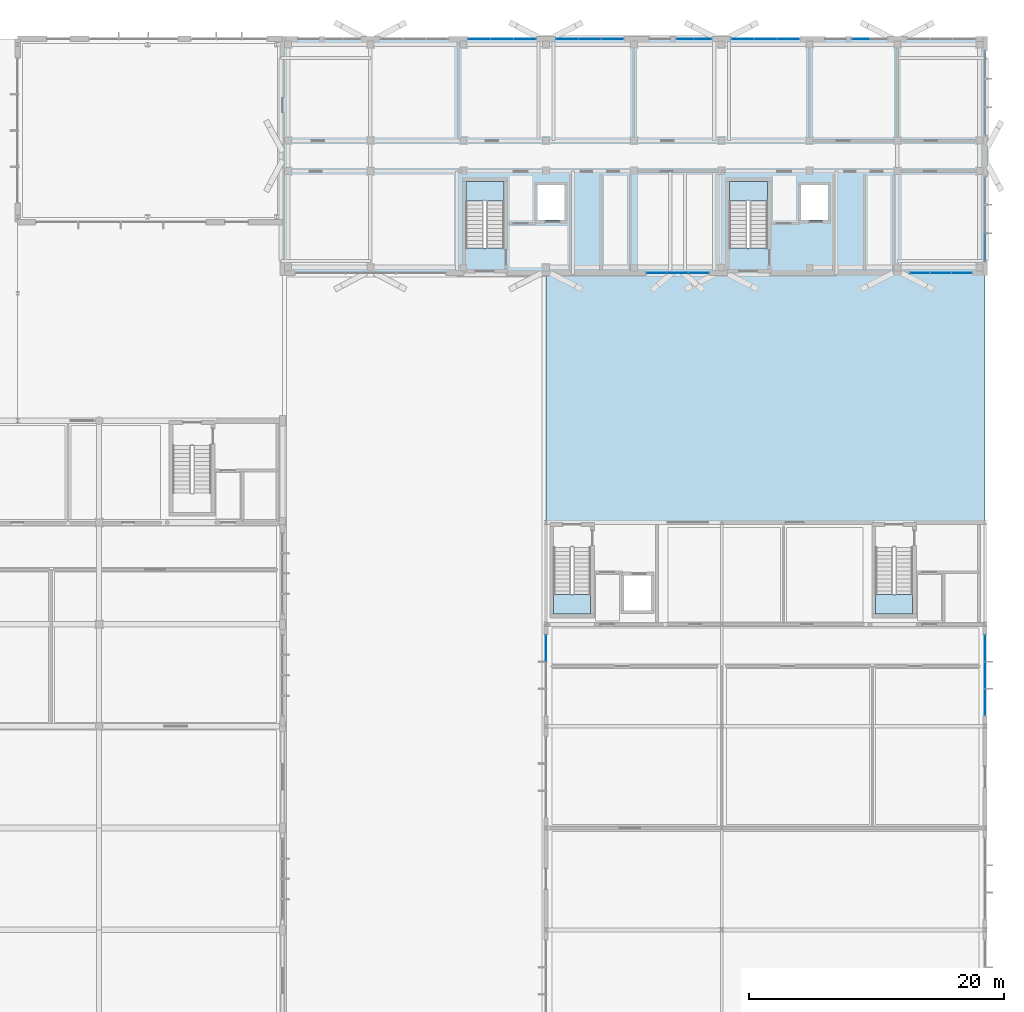
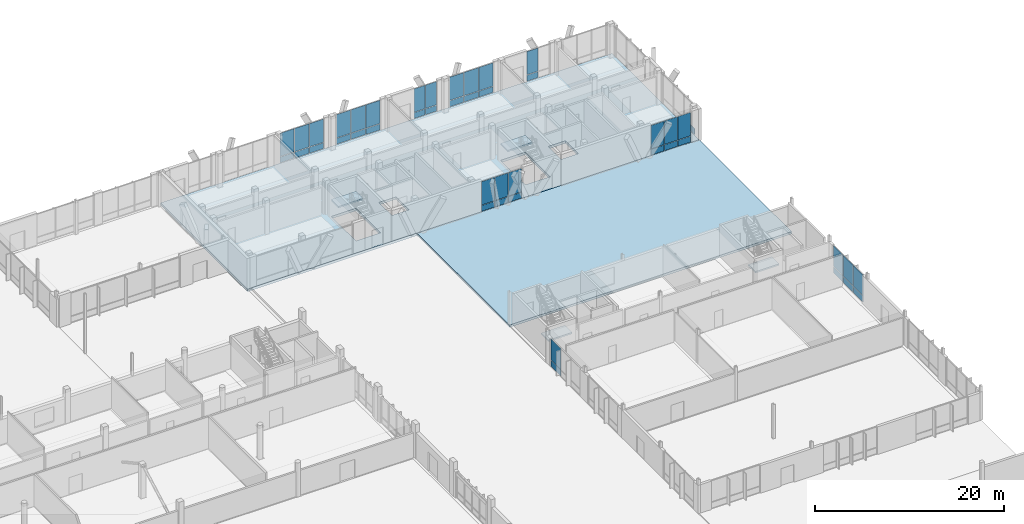
# One storey, part 188 of 233: 45 plates, 6 slabs, 14 elements without a shape of their own.
"""IFC4 building model written with IfcOpenShell, lengths in metres."""

from ifc_helpers import new_model, si_unit, direction, frame, origin, origin_2d, place, context, subcontext, project, spatial, polyline, rectangle, outline, extrude, material, layer, layer_set, type_object, element, aggregate, save


model = new_model("IFC4")

# Units and contexts
model_context = context("Model", 3, precision=1e-05, world=origin(), true_north=direction((0.0, 1.0)))
body_context = subcontext(model_context, "Body", "Model", "MODEL_VIEW")
ifc_project = project(units=[si_unit("LENGTHUNIT", "METRE"), si_unit("AREAUNIT", "SQUARE_METRE"), si_unit("VOLUMEUNIT", "CUBIC_METRE"), si_unit("PLANEANGLEUNIT", "RADIAN"), si_unit("MASSUNIT", "GRAM", prefix="KILO")], contexts=[model_context])

# Site, building, storey
site_placement = place(None, origin())
site = spatial("IfcSite", under=ifc_project, at=site_placement, CompositionType="ELEMENT")
building_placement = place(site_placement, origin())
building = spatial("IfcBuilding", under=site, at=building_placement, Name="Zavelmont Quarter", CompositionType="ELEMENT")
storey_placement = place(building_placement, origin())
storey = spatial("IfcBuildingStorey", under=building, at=storey_placement, Name="L00", CompositionType="ELEMENT", Elevation=0.0)

# Curtain wall, plates
ifc_material_1 = material(Name="Thermally broken aluminium and double low-E safety glazing", Category="aluminium")
curtain_wall_type_1 = type_object("IfcCurtainWallType", Name="CW-285X395", PredefinedType="NOTDEFINED", material=ifc_material_1)
curtain_wall_1_placement = place(storey_placement, origin())
curtain_wall_1 = element("IfcCurtainWall", 1, at=curtain_wall_1_placement, inside=storey, type_object=curtain_wall_type_1, Name="L00 unitised curtain wall CW-285X395", PredefinedType="NOTDEFINED")
ifc_material_2 = material(Name="Insulated anodised-aluminium spandrel panel", Category="aluminium")
ifc_layer_1 = layer(ifc_material_2, 0.0400390625)
ifc_layer_set_1 = layer_set([ifc_layer_1], Name="Insulated anodised-aluminium spandrel panel")
plate_type_1 = type_object("IfcPlateType", Name="CWP-SPD-1335X760", PredefinedType="CURTAIN_PANEL", material=ifc_layer_set_1)
plate_1_placement = place(storey_placement, frame((144.427490234375, 116.0, 0.06005859375), z_axis=(0.0, 0.0, 1.0), x_axis=(1.0, 0.0, 0.0)))
plate_1 = element("IfcPlate", 2, at=plate_1_placement, type_object=plate_type_1, Name="CW-285X395 panel 1.1", PredefinedType="CURTAIN_PANEL", context=body_context, shape_type="SweptSolid", body=[
    extrude(rectangle(XDim=1.3349609375, YDim=0.0400390625, at=origin_2d()), origin(), (0.0, 0.0, 1.0), 0.760009765625),
])
plate_2_placement = place(storey_placement, frame((145.822509765625, 116.0, 0.06005859375), z_axis=(0.0, 0.0, 1.0), x_axis=(1.0, 0.0, 0.0)))
plate_2 = element("IfcPlate", 3, at=plate_2_placement, type_object=plate_type_1, Name="CW-285X395 panel 2.1", PredefinedType="CURTAIN_PANEL", context=body_context, shape_type="SweptSolid", body=[
    extrude(rectangle(XDim=1.3349609375, YDim=0.0400390625, at=origin_2d()), origin(), (0.0, 0.0, 1.0), 0.760009765625),
])

# Curtain wall, plate
curtain_wall_2_placement = place(storey_placement, origin())
curtain_wall_2 = element("IfcCurtainWall", 4, at=curtain_wall_2_placement, inside=storey, type_object=curtain_wall_type_1, Name="L00 unitised curtain wall CW-285X395", PredefinedType="NOTDEFINED")
plate_3_placement = place(storey_placement, frame((158.2275390625, 116.0, 0.06005859375), z_axis=(0.0, 0.0, 1.0), x_axis=(1.0, 0.0, 0.0)))
plate_3 = element("IfcPlate", 5, at=plate_3_placement, type_object=plate_type_1, Name="CW-285X395 panel 1.1", PredefinedType="CURTAIN_PANEL", context=body_context, shape_type="SweptSolid", body=[
    extrude(rectangle(XDim=1.3349609375, YDim=0.0400390625, at=origin_2d()), origin(), (0.0, 0.0, 1.0), 0.760009765625),
])

# Curtain wall, plates
curtain_wall_type_2 = type_object("IfcCurtainWallType", Name="CW-495X395", PredefinedType="NOTDEFINED", material=ifc_material_1)
curtain_wall_3_placement = place(storey_placement, origin())
curtain_wall_3 = element("IfcCurtainWall", 6, at=curtain_wall_3_placement, inside=storey, type_object=curtain_wall_type_2, Name="L00 unitised curtain wall CW-495X395", PredefinedType="NOTDEFINED")
ifc_layer_2 = layer(ifc_material_2, 0.0400390625)
ifc_layer_set_2 = layer_set([ifc_layer_2], Name="Insulated anodised-aluminium spandrel panel")
plate_type_2 = type_object("IfcPlateType", Name="CWP-SPD-1560X760", PredefinedType="CURTAIN_PANEL", material=ifc_layer_set_2)
plate_4_placement = place(storey_placement, frame((162.889892578125, 97.60009765625, 0.06005859375), z_axis=(0.0, 0.0, 1.0), x_axis=(1.0, 0.0, 0.0)))
plate_4 = element("IfcPlate", 7, at=plate_4_placement, type_object=plate_type_2, Name="CW-495X395 panel 1.1", PredefinedType="CURTAIN_PANEL", context=body_context, shape_type="SweptSolid", body=[
    extrude(rectangle(XDim=1.56005859375, YDim=0.0400390625, at=origin_2d()), origin(), (0.0, 0.0, 1.0), 0.760009765625),
])
plate_5_placement = place(storey_placement, frame((166.159912109375, 97.60009765625, 0.06005859375), z_axis=(0.0, 0.0, 1.0), x_axis=(1.0, 0.0, 0.0)))
plate_5 = element("IfcPlate", 8, at=plate_5_placement, type_object=plate_type_2, Name="CW-495X395 panel 3.1", PredefinedType="CURTAIN_PANEL", context=body_context, shape_type="SweptSolid", body=[
    extrude(rectangle(XDim=1.56005859375, YDim=0.0400390625, at=origin_2d()), origin(), (0.0, 0.0, 1.0), 0.760009765625),
])

curtain_wall_type_3 = type_object("IfcCurtainWallType", Name="CW-500X395", PredefinedType="NOTDEFINED", material=ifc_material_1)
curtain_wall_4_placement = place(storey_placement, origin())
curtain_wall_4 = element("IfcCurtainWall", 9, at=curtain_wall_4_placement, inside=storey, type_object=curtain_wall_type_3, Name="L00 unitised curtain wall CW-500X395", PredefinedType="NOTDEFINED")
ifc_layer_3 = layer(ifc_material_2, 0.0400390625)
ifc_layer_set_3 = layer_set([ifc_layer_3], Name="Insulated anodised-aluminium spandrel panel")
plate_type_3 = type_object("IfcPlateType", Name="CWP-SPD-1575X760", PredefinedType="CURTAIN_PANEL", material=ifc_layer_set_3)
plate_6_placement = place(storey_placement, frame((142.1982421875, 97.60009765625, 0.06005859375), z_axis=(0.0, 0.0, 1.0), x_axis=(1.0, 0.0, 0.0)))
plate_6 = element("IfcPlate", 10, at=plate_6_placement, type_object=plate_type_3, Name="CW-500X395 panel 1.1", PredefinedType="CURTAIN_PANEL", context=body_context, shape_type="SweptSolid", body=[
    extrude(rectangle(XDim=1.57666015625, YDim=0.0400390625, at=origin_2d()), origin(), (0.0, 0.0, 1.0), 0.760009765625),
])
plate_7_placement = place(storey_placement, frame((145.501708984375, 97.60009765625, 0.06005859375), z_axis=(0.0, 0.0, 1.0), x_axis=(1.0, 0.0, 0.0)))
plate_7 = element("IfcPlate", 11, at=plate_7_placement, type_object=plate_type_3, Name="CW-500X395 panel 3.1", PredefinedType="CURTAIN_PANEL", context=body_context, shape_type="SweptSolid", body=[
    extrude(rectangle(XDim=1.57666015625, YDim=0.0400390625, at=origin_2d()), origin(), (0.0, 0.0, 1.0), 0.760009765625),
])

# Plate
ifc_layer_4 = layer(ifc_material_2, 0.0400390625)
ifc_layer_set_4 = layer_set([ifc_layer_4], Name="Insulated anodised-aluminium spandrel panel")
plate_type_4 = type_object("IfcPlateType", Name="CWP-SPD-1590X760", PredefinedType="CURTAIN_PANEL", material=ifc_layer_set_4)
plate_8_placement = place(storey_placement, frame((164.52490234375, 97.60009765625, 0.06005859375), z_axis=(0.0, 0.0, 1.0), x_axis=(1.0, 0.0, 0.0)))
plate_8 = element("IfcPlate", 12, at=plate_8_placement, type_object=plate_type_4, Name="CW-495X395 panel 2.1", PredefinedType="CURTAIN_PANEL", context=body_context, shape_type="SweptSolid", body=[
    extrude(rectangle(XDim=1.590087890625, YDim=0.0400390625, at=origin_2d()), origin(), (0.0, 0.0, 1.0), 0.760009765625),
])

ifc_layer_5 = layer(ifc_material_2, 0.0400390625)
ifc_layer_set_5 = layer_set([ifc_layer_5], Name="Insulated anodised-aluminium spandrel panel")
plate_type_5 = type_object("IfcPlateType", Name="CWP-SPD-1605X760", PredefinedType="CURTAIN_PANEL", material=ifc_layer_set_5)
plate_9_placement = place(storey_placement, frame((143.85009765625, 97.60009765625, 0.06005859375), z_axis=(0.0, 0.0, 1.0), x_axis=(1.0, 0.0, 0.0)))
plate_9 = element("IfcPlate", 13, at=plate_9_placement, type_object=plate_type_5, Name="CW-500X395 panel 2.1", PredefinedType="CURTAIN_PANEL", context=body_context, shape_type="SweptSolid", body=[
    extrude(rectangle(XDim=1.606689453125, YDim=0.0400390625, at=origin_2d()), origin(), (0.0, 0.0, 1.0), 0.760009765625),
])

# Curtain wall, plates
curtain_wall_type_4 = type_object("IfcCurtainWallType", Name="CW-540X395", PredefinedType="NOTDEFINED", material=ifc_material_1)
curtain_wall_5_placement = place(storey_placement, origin())
curtain_wall_5 = element("IfcCurtainWall", 14, at=curtain_wall_5_placement, inside=storey, type_object=curtain_wall_type_4, Name="L00 unitised curtain wall CW-540X395", PredefinedType="NOTDEFINED")
ifc_layer_6 = layer(ifc_material_2, 0.0400390625)
ifc_layer_set_6 = layer_set([ifc_layer_6], Name="Insulated anodised-aluminium spandrel panel")
plate_type_6 = type_object("IfcPlateType", Name="CWP-SPD-1710X760", PredefinedType="CURTAIN_PANEL", material=ifc_layer_set_6)
plate_10_placement = place(storey_placement, frame((128.264892578125, 116.0, 0.06005859375), z_axis=(0.0, 0.0, 1.0), x_axis=(1.0, 0.0, 0.0)))
plate_10 = element("IfcPlate", 15, at=plate_10_placement, type_object=plate_type_6, Name="CW-540X395 panel 1.1", PredefinedType="CURTAIN_PANEL", context=body_context, shape_type="SweptSolid", body=[
    extrude(rectangle(XDim=1.7099609375, YDim=0.0400390625, at=origin_2d()), origin(), (0.0, 0.0, 1.0), 0.760009765625),
])
plate_11_placement = place(storey_placement, frame((131.8349609375, 116.0, 0.06005859375), z_axis=(0.0, 0.0, 1.0), x_axis=(1.0, 0.0, 0.0)))
plate_11 = element("IfcPlate", 16, at=plate_11_placement, type_object=plate_type_6, Name="CW-540X395 panel 3.1", PredefinedType="CURTAIN_PANEL", context=body_context, shape_type="SweptSolid", body=[
    extrude(rectangle(XDim=1.7099609375, YDim=0.0400390625, at=origin_2d()), origin(), (0.0, 0.0, 1.0), 0.760009765625),
])

curtain_wall_6_placement = place(storey_placement, origin())
curtain_wall_6 = element("IfcCurtainWall", 17, at=curtain_wall_6_placement, inside=storey, type_object=curtain_wall_type_4, Name="L00 unitised curtain wall CW-540X395", PredefinedType="NOTDEFINED")
plate_12_placement = place(storey_placement, frame((135.1650390625, 116.0, 0.06005859375), z_axis=(0.0, 0.0, 1.0), x_axis=(1.0, 0.0, 0.0)))
plate_12 = element("IfcPlate", 18, at=plate_12_placement, type_object=plate_type_6, Name="CW-540X395 panel 1.1", PredefinedType="CURTAIN_PANEL", context=body_context, shape_type="SweptSolid", body=[
    extrude(rectangle(XDim=1.7099609375, YDim=0.0400390625, at=origin_2d()), origin(), (0.0, 0.0, 1.0), 0.760009765625),
])
plate_13_placement = place(storey_placement, frame((138.735107421875, 116.0, 0.06005859375), z_axis=(0.0, 0.0, 1.0), x_axis=(1.0, 0.0, 0.0)))
plate_13 = element("IfcPlate", 19, at=plate_13_placement, type_object=plate_type_6, Name="CW-540X395 panel 3.1", PredefinedType="CURTAIN_PANEL", context=body_context, shape_type="SweptSolid", body=[
    extrude(rectangle(XDim=1.7099609375, YDim=0.0400390625, at=origin_2d()), origin(), (0.0, 0.0, 1.0), 0.760009765625),
])

curtain_wall_7_placement = place(storey_placement, origin())
curtain_wall_7 = element("IfcCurtainWall", 20, at=curtain_wall_7_placement, inside=storey, type_object=curtain_wall_type_4, Name="L00 unitised curtain wall CW-540X395", PredefinedType="NOTDEFINED")
plate_14_placement = place(storey_placement, frame((148.965087890625, 116.0, 0.06005859375), z_axis=(0.0, 0.0, 1.0), x_axis=(1.0, 0.0, 0.0)))
plate_14 = element("IfcPlate", 21, at=plate_14_placement, type_object=plate_type_6, Name="CW-540X395 panel 1.1", PredefinedType="CURTAIN_PANEL", context=body_context, shape_type="SweptSolid", body=[
    extrude(rectangle(XDim=1.7099609375, YDim=0.0400390625, at=origin_2d()), origin(), (0.0, 0.0, 1.0), 0.760009765625),
])
plate_15_placement = place(storey_placement, frame((152.534912109375, 116.0, 0.06005859375), z_axis=(0.0, 0.0, 1.0), x_axis=(1.0, 0.0, 0.0)))
plate_15 = element("IfcPlate", 22, at=plate_15_placement, type_object=plate_type_6, Name="CW-540X395 panel 3.1", PredefinedType="CURTAIN_PANEL", context=body_context, shape_type="SweptSolid", body=[
    extrude(rectangle(XDim=1.7099609375, YDim=0.0400390625, at=origin_2d()), origin(), (0.0, 0.0, 1.0), 0.760009765625),
])

# Plate
ifc_layer_7 = layer(ifc_material_2, 0.0400390625)
ifc_layer_set_7 = layer_set([ifc_layer_7], Name="Insulated anodised-aluminium spandrel panel")
plate_type_7 = type_object("IfcPlateType", Name="CWP-SPD-1740X760", PredefinedType="CURTAIN_PANEL", material=ifc_layer_set_7)
plate_16_placement = place(storey_placement, frame((130.050048828125, 116.0, 0.06005859375), z_axis=(0.0, 0.0, 1.0), x_axis=(1.0, 0.0, 0.0)))
plate_16 = element("IfcPlate", 23, at=plate_16_placement, type_object=plate_type_7, Name="CW-540X395 panel 2.1", PredefinedType="CURTAIN_PANEL", context=body_context, shape_type="SweptSolid", body=[
    extrude(rectangle(XDim=1.739990234375, YDim=0.0400390625, at=origin_2d()), origin(), (0.0, 0.0, 1.0), 0.760009765625),
])

plate_17_placement = place(storey_placement, frame((136.949951171875, 116.0, 0.06005859375), z_axis=(0.0, 0.0, 1.0), x_axis=(1.0, 0.0, 0.0)))
plate_17 = element("IfcPlate", 24, at=plate_17_placement, type_object=plate_type_7, Name="CW-540X395 panel 2.1", PredefinedType="CURTAIN_PANEL", context=body_context, shape_type="SweptSolid", body=[
    extrude(rectangle(XDim=1.739990234375, YDim=0.0400390625, at=origin_2d()), origin(), (0.0, 0.0, 1.0), 0.760009765625),
])

plate_18_placement = place(storey_placement, frame((150.75, 116.0, 0.06005859375), z_axis=(0.0, 0.0, 1.0), x_axis=(1.0, 0.0, 0.0)))
plate_18 = element("IfcPlate", 25, at=plate_18_placement, type_object=plate_type_7, Name="CW-540X395 panel 2.1", PredefinedType="CURTAIN_PANEL", context=body_context, shape_type="SweptSolid", body=[
    extrude(rectangle(XDim=1.739990234375, YDim=0.0400390625, at=origin_2d()), origin(), (0.0, 0.0, 1.0), 0.760009765625),
])

# Curtain wall, plate
curtain_wall_type_5 = type_object("IfcCurtainWallType", Name="CW-640X366", PredefinedType="NOTDEFINED", material=ifc_material_1)
curtain_wall_8_placement = place(storey_placement, origin())
curtain_wall_8 = element("IfcCurtainWall", 26, at=curtain_wall_8_placement, inside=storey, type_object=curtain_wall_type_5, Name="L00 unitised curtain wall CW-640X366", PredefinedType="NOTDEFINED")
ifc_layer_8 = layer(ifc_material_2, 0.0400390625)
ifc_layer_set_8 = layer_set([ifc_layer_8], Name="Insulated anodised-aluminium spandrel panel")
plate_type_8 = type_object("IfcPlateType", Name="CWP-SPD-2045X760", PredefinedType="CURTAIN_PANEL", material=ifc_layer_set_8)
plate_19_placement = place(storey_placement, frame((133.5, 68.118408203125, 0.06005859375), z_axis=(0.0, 0.0, 1.0), x_axis=(0.0, 1.0, 0.0)))
plate_19 = element("IfcPlate", 27, at=plate_19_placement, type_object=plate_type_8, Name="CW-640X366 panel 3.1", PredefinedType="CURTAIN_PANEL", context=body_context, shape_type="SweptSolid", body=[
    extrude(rectangle(XDim=2.043212890625, YDim=0.0400390625, at=origin_2d()), origin(), (0.0, 0.0, 1.0), 0.760009765625),
])

# Curtain wall, plates
curtain_wall_9_placement = place(storey_placement, origin())
curtain_wall_9 = element("IfcCurtainWall", 28, at=curtain_wall_9_placement, inside=storey, type_object=curtain_wall_type_5, Name="L00 unitised curtain wall CW-640X366", PredefinedType="NOTDEFINED")
plate_20_placement = place(storey_placement, frame((168.0, 63.881591796875, 0.06005859375), z_axis=(0.0, 0.0, 1.0), x_axis=(0.0, 1.0, 0.0)))
plate_20 = element("IfcPlate", 29, at=plate_20_placement, type_object=plate_type_8, Name="CW-640X366 panel 1.1", PredefinedType="CURTAIN_PANEL", context=body_context, shape_type="SweptSolid", body=[
    extrude(rectangle(XDim=2.043212890625, YDim=0.0400390625, at=origin_2d()), origin(), (0.0, 0.0, 1.0), 0.760009765625),
])
plate_21_placement = place(storey_placement, frame((168.0, 68.118408203125, 0.06005859375), z_axis=(0.0, 0.0, 1.0), x_axis=(0.0, 1.0, 0.0)))
plate_21 = element("IfcPlate", 30, at=plate_21_placement, type_object=plate_type_8, Name="CW-640X366 panel 3.1", PredefinedType="CURTAIN_PANEL", context=body_context, shape_type="SweptSolid", body=[
    extrude(rectangle(XDim=2.043212890625, YDim=0.0400390625, at=origin_2d()), origin(), (0.0, 0.0, 1.0), 0.760009765625),
])
ifc_layer_9 = layer(ifc_material_2, 0.0400390625)
ifc_layer_set_9 = layer_set([ifc_layer_9], Name="Insulated anodised-aluminium spandrel panel")
plate_type_9 = type_object("IfcPlateType", Name="CWP-SPD-2075X760", PredefinedType="CURTAIN_PANEL", material=ifc_layer_set_9)
plate_22_placement = place(storey_placement, frame((168.0, 66.0, 0.06005859375), z_axis=(0.0, 0.0, 1.0), x_axis=(0.0, 1.0, 0.0)))
plate_22 = element("IfcPlate", 31, at=plate_22_placement, type_object=plate_type_9, Name="CW-640X366 panel 2.1", PredefinedType="CURTAIN_PANEL", context=body_context, shape_type="SweptSolid", body=[
    extrude(rectangle(XDim=2.0732421875, YDim=0.0400390625, at=origin_2d()), origin(), (0.0, 0.0, 1.0), 0.760009765625),
])

# Curtain wall, plate
curtain_wall_type_6 = type_object("IfcCurtainWallType", Name="CW-670X395", PredefinedType="NOTDEFINED", material=ifc_material_1)
curtain_wall_10_placement = place(storey_placement, origin())
curtain_wall_10 = element("IfcCurtainWall", 32, at=curtain_wall_10_placement, inside=storey, type_object=curtain_wall_type_6, Name="L00 unitised curtain wall CW-670X395", PredefinedType="NOTDEFINED")
ifc_layer_10 = layer(ifc_material_2, 0.0400390625)
ifc_layer_set_10 = layer_set([ifc_layer_10], Name="Insulated anodised-aluminium spandrel panel")
plate_type_10 = type_object("IfcPlateType", Name="CWP-SPD-2145X760", PredefinedType="CURTAIN_PANEL", material=ifc_layer_set_10)
plate_23_placement = place(storey_placement, frame((168.0, 99.631591796875, 0.06005859375), z_axis=(0.0, 0.0, 1.0), x_axis=(0.0, 1.0, 0.0)))
plate_23 = element("IfcPlate", 33, at=plate_23_placement, type_object=plate_type_10, Name="CW-670X395 panel 1.1", PredefinedType="CURTAIN_PANEL", context=body_context, shape_type="SweptSolid", body=[
    extrude(rectangle(XDim=2.143310546875, YDim=0.0400390625, at=origin_2d()), origin(), (0.0, 0.0, 1.0), 0.760009765625),
])
aggregate(curtain_wall_10, [plate_23])

# Plate
ifc_material_3 = material(Name="Double low-E insulated vision glass", Category="glass")
ifc_layer_11 = layer(ifc_material_3, 0.028076171875)
ifc_layer_set_11 = layer_set([ifc_layer_11], Name="Double low-E insulated vision glass")
plate_type_11 = type_object("IfcPlateType", Name="CWP-VIS-1335X3010", PredefinedType="CURTAIN_PANEL", material=ifc_layer_set_11)
plate_24_placement = place(storey_placement, frame((144.427490234375, 116.0, 0.8798828125), z_axis=(0.0, 0.0, 1.0), x_axis=(1.0, 0.0, 0.0)))
plate_24 = element("IfcPlate", 34, at=plate_24_placement, type_object=plate_type_11, Name="CW-285X395 panel 1.2", PredefinedType="CURTAIN_PANEL", context=body_context, shape_type="SweptSolid", body=[
    extrude(rectangle(XDim=1.3349609375, YDim=0.028076171875, at=origin_2d()), origin(), (0.0, 0.0, 1.0), 3.010009765625),
])

plate_25_placement = place(storey_placement, frame((145.822509765625, 116.0, 0.8798828125), z_axis=(0.0, 0.0, 1.0), x_axis=(1.0, 0.0, 0.0)))
plate_25 = element("IfcPlate", 35, at=plate_25_placement, type_object=plate_type_11, Name="CW-285X395 panel 2.2", PredefinedType="CURTAIN_PANEL", context=body_context, shape_type="SweptSolid", body=[
    extrude(rectangle(XDim=1.3349609375, YDim=0.028076171875, at=origin_2d()), origin(), (0.0, 0.0, 1.0), 3.010009765625),
])

aggregate(curtain_wall_1, [plate_1, plate_24, plate_2, plate_25])

plate_26_placement = place(storey_placement, frame((158.2275390625, 116.0, 0.8798828125), z_axis=(0.0, 0.0, 1.0), x_axis=(1.0, 0.0, 0.0)))
plate_26 = element("IfcPlate", 36, at=plate_26_placement, type_object=plate_type_11, Name="CW-285X395 panel 1.2", PredefinedType="CURTAIN_PANEL", context=body_context, shape_type="SweptSolid", body=[
    extrude(rectangle(XDim=1.3349609375, YDim=0.028076171875, at=origin_2d()), origin(), (0.0, 0.0, 1.0), 3.010009765625),
])

aggregate(curtain_wall_2, [plate_3, plate_26])

ifc_layer_12 = layer(ifc_material_3, 0.028076171875)
ifc_layer_set_12 = layer_set([ifc_layer_12], Name="Double low-E insulated vision glass")
plate_type_12 = type_object("IfcPlateType", Name="CWP-VIS-1560X3010", PredefinedType="CURTAIN_PANEL", material=ifc_layer_set_12)
plate_27_placement = place(storey_placement, frame((162.889892578125, 97.60009765625, 0.8798828125), z_axis=(0.0, 0.0, 1.0), x_axis=(1.0, 0.0, 0.0)))
plate_27 = element("IfcPlate", 37, at=plate_27_placement, type_object=plate_type_12, Name="CW-495X395 panel 1.2", PredefinedType="CURTAIN_PANEL", context=body_context, shape_type="SweptSolid", body=[
    extrude(rectangle(XDim=1.56005859375, YDim=0.028076171875, at=origin_2d()), origin(), (0.0, 0.0, 1.0), 3.010009765625),
])

plate_28_placement = place(storey_placement, frame((166.159912109375, 97.60009765625, 0.8798828125), z_axis=(0.0, 0.0, 1.0), x_axis=(1.0, 0.0, 0.0)))
plate_28 = element("IfcPlate", 38, at=plate_28_placement, type_object=plate_type_12, Name="CW-495X395 panel 3.2", PredefinedType="CURTAIN_PANEL", context=body_context, shape_type="SweptSolid", body=[
    extrude(rectangle(XDim=1.56005859375, YDim=0.028076171875, at=origin_2d()), origin(), (0.0, 0.0, 1.0), 3.010009765625),
])

ifc_layer_13 = layer(ifc_material_3, 0.028076171875)
ifc_layer_set_13 = layer_set([ifc_layer_13], Name="Double low-E insulated vision glass")
plate_type_13 = type_object("IfcPlateType", Name="CWP-VIS-1575X3010", PredefinedType="CURTAIN_PANEL", material=ifc_layer_set_13)
plate_29_placement = place(storey_placement, frame((142.1982421875, 97.60009765625, 0.8798828125), z_axis=(0.0, 0.0, 1.0), x_axis=(1.0, 0.0, 0.0)))
plate_29 = element("IfcPlate", 39, at=plate_29_placement, type_object=plate_type_13, Name="CW-500X395 panel 1.2", PredefinedType="CURTAIN_PANEL", context=body_context, shape_type="SweptSolid", body=[
    extrude(rectangle(XDim=1.57666015625, YDim=0.028076171875, at=origin_2d()), origin(), (0.0, 0.0, 1.0), 3.010009765625),
])

plate_30_placement = place(storey_placement, frame((145.501708984375, 97.60009765625, 0.8798828125), z_axis=(0.0, 0.0, 1.0), x_axis=(1.0, 0.0, 0.0)))
plate_30 = element("IfcPlate", 40, at=plate_30_placement, type_object=plate_type_13, Name="CW-500X395 panel 3.2", PredefinedType="CURTAIN_PANEL", context=body_context, shape_type="SweptSolid", body=[
    extrude(rectangle(XDim=1.57666015625, YDim=0.028076171875, at=origin_2d()), origin(), (0.0, 0.0, 1.0), 3.010009765625),
])

ifc_layer_14 = layer(ifc_material_3, 0.028076171875)
ifc_layer_set_14 = layer_set([ifc_layer_14], Name="Double low-E insulated vision glass")
plate_type_14 = type_object("IfcPlateType", Name="CWP-VIS-1590X3010", PredefinedType="CURTAIN_PANEL", material=ifc_layer_set_14)
plate_31_placement = place(storey_placement, frame((164.52490234375, 97.60009765625, 0.8798828125), z_axis=(0.0, 0.0, 1.0), x_axis=(1.0, 0.0, 0.0)))
plate_31 = element("IfcPlate", 41, at=plate_31_placement, type_object=plate_type_14, Name="CW-495X395 panel 2.2", PredefinedType="CURTAIN_PANEL", context=body_context, shape_type="SweptSolid", body=[
    extrude(rectangle(XDim=1.590087890625, YDim=0.028076171875, at=origin_2d()), origin(), (0.0, 0.0, 1.0), 3.010009765625),
])

aggregate(curtain_wall_3, [plate_4, plate_27, plate_8, plate_31, plate_5, plate_28])

ifc_layer_15 = layer(ifc_material_3, 0.028076171875)
ifc_layer_set_15 = layer_set([ifc_layer_15], Name="Double low-E insulated vision glass")
plate_type_15 = type_object("IfcPlateType", Name="CWP-VIS-1605X3010", PredefinedType="CURTAIN_PANEL", material=ifc_layer_set_15)
plate_32_placement = place(storey_placement, frame((143.85009765625, 97.60009765625, 0.8798828125), z_axis=(0.0, 0.0, 1.0), x_axis=(1.0, 0.0, 0.0)))
plate_32 = element("IfcPlate", 42, at=plate_32_placement, type_object=plate_type_15, Name="CW-500X395 panel 2.2", PredefinedType="CURTAIN_PANEL", context=body_context, shape_type="SweptSolid", body=[
    extrude(rectangle(XDim=1.606689453125, YDim=0.028076171875, at=origin_2d()), origin(), (0.0, 0.0, 1.0), 3.010009765625),
])

aggregate(curtain_wall_4, [plate_6, plate_29, plate_9, plate_32, plate_7, plate_30])

ifc_layer_16 = layer(ifc_material_3, 0.028076171875)
ifc_layer_set_16 = layer_set([ifc_layer_16], Name="Double low-E insulated vision glass")
plate_type_16 = type_object("IfcPlateType", Name="CWP-VIS-1710X3010", PredefinedType="CURTAIN_PANEL", material=ifc_layer_set_16)
plate_33_placement = place(storey_placement, frame((128.264892578125, 116.0, 0.8798828125), z_axis=(0.0, 0.0, 1.0), x_axis=(1.0, 0.0, 0.0)))
plate_33 = element("IfcPlate", 43, at=plate_33_placement, type_object=plate_type_16, Name="CW-540X395 panel 1.2", PredefinedType="CURTAIN_PANEL", context=body_context, shape_type="SweptSolid", body=[
    extrude(rectangle(XDim=1.7099609375, YDim=0.028076171875, at=origin_2d()), origin(), (0.0, 0.0, 1.0), 3.010009765625),
])

plate_34_placement = place(storey_placement, frame((131.8349609375, 116.0, 0.8798828125), z_axis=(0.0, 0.0, 1.0), x_axis=(1.0, 0.0, 0.0)))
plate_34 = element("IfcPlate", 44, at=plate_34_placement, type_object=plate_type_16, Name="CW-540X395 panel 3.2", PredefinedType="CURTAIN_PANEL", context=body_context, shape_type="SweptSolid", body=[
    extrude(rectangle(XDim=1.7099609375, YDim=0.028076171875, at=origin_2d()), origin(), (0.0, 0.0, 1.0), 3.010009765625),
])

plate_35_placement = place(storey_placement, frame((135.1650390625, 116.0, 0.8798828125), z_axis=(0.0, 0.0, 1.0), x_axis=(1.0, 0.0, 0.0)))
plate_35 = element("IfcPlate", 45, at=plate_35_placement, type_object=plate_type_16, Name="CW-540X395 panel 1.2", PredefinedType="CURTAIN_PANEL", context=body_context, shape_type="SweptSolid", body=[
    extrude(rectangle(XDim=1.7099609375, YDim=0.028076171875, at=origin_2d()), origin(), (0.0, 0.0, 1.0), 3.010009765625),
])

plate_36_placement = place(storey_placement, frame((138.735107421875, 116.0, 0.8798828125), z_axis=(0.0, 0.0, 1.0), x_axis=(1.0, 0.0, 0.0)))
plate_36 = element("IfcPlate", 46, at=plate_36_placement, type_object=plate_type_16, Name="CW-540X395 panel 3.2", PredefinedType="CURTAIN_PANEL", context=body_context, shape_type="SweptSolid", body=[
    extrude(rectangle(XDim=1.7099609375, YDim=0.028076171875, at=origin_2d()), origin(), (0.0, 0.0, 1.0), 3.010009765625),
])

plate_37_placement = place(storey_placement, frame((148.965087890625, 116.0, 0.8798828125), z_axis=(0.0, 0.0, 1.0), x_axis=(1.0, 0.0, 0.0)))
plate_37 = element("IfcPlate", 47, at=plate_37_placement, type_object=plate_type_16, Name="CW-540X395 panel 1.2", PredefinedType="CURTAIN_PANEL", context=body_context, shape_type="SweptSolid", body=[
    extrude(rectangle(XDim=1.7099609375, YDim=0.028076171875, at=origin_2d()), origin(), (0.0, 0.0, 1.0), 3.010009765625),
])

plate_38_placement = place(storey_placement, frame((152.534912109375, 116.0, 0.8798828125), z_axis=(0.0, 0.0, 1.0), x_axis=(1.0, 0.0, 0.0)))
plate_38 = element("IfcPlate", 48, at=plate_38_placement, type_object=plate_type_16, Name="CW-540X395 panel 3.2", PredefinedType="CURTAIN_PANEL", context=body_context, shape_type="SweptSolid", body=[
    extrude(rectangle(XDim=1.7099609375, YDim=0.028076171875, at=origin_2d()), origin(), (0.0, 0.0, 1.0), 3.010009765625),
])

ifc_layer_17 = layer(ifc_material_3, 0.028076171875)
ifc_layer_set_17 = layer_set([ifc_layer_17], Name="Double low-E insulated vision glass")
plate_type_17 = type_object("IfcPlateType", Name="CWP-VIS-1740X3010", PredefinedType="CURTAIN_PANEL", material=ifc_layer_set_17)
plate_39_placement = place(storey_placement, frame((130.050048828125, 116.0, 0.8798828125), z_axis=(0.0, 0.0, 1.0), x_axis=(1.0, 0.0, 0.0)))
plate_39 = element("IfcPlate", 49, at=plate_39_placement, type_object=plate_type_17, Name="CW-540X395 panel 2.2", PredefinedType="CURTAIN_PANEL", context=body_context, shape_type="SweptSolid", body=[
    extrude(rectangle(XDim=1.739990234375, YDim=0.028076171875, at=origin_2d()), origin(), (0.0, 0.0, 1.0), 3.010009765625),
])

aggregate(curtain_wall_5, [plate_10, plate_33, plate_16, plate_39, plate_11, plate_34])

plate_40_placement = place(storey_placement, frame((136.949951171875, 116.0, 0.8798828125), z_axis=(0.0, 0.0, 1.0), x_axis=(1.0, 0.0, 0.0)))
plate_40 = element("IfcPlate", 50, at=plate_40_placement, type_object=plate_type_17, Name="CW-540X395 panel 2.2", PredefinedType="CURTAIN_PANEL", context=body_context, shape_type="SweptSolid", body=[
    extrude(rectangle(XDim=1.739990234375, YDim=0.028076171875, at=origin_2d()), origin(), (0.0, 0.0, 1.0), 3.010009765625),
])

aggregate(curtain_wall_6, [plate_12, plate_35, plate_17, plate_40, plate_13, plate_36])

plate_41_placement = place(storey_placement, frame((150.75, 116.0, 0.8798828125), z_axis=(0.0, 0.0, 1.0), x_axis=(1.0, 0.0, 0.0)))
plate_41 = element("IfcPlate", 51, at=plate_41_placement, type_object=plate_type_17, Name="CW-540X395 panel 2.2", PredefinedType="CURTAIN_PANEL", context=body_context, shape_type="SweptSolid", body=[
    extrude(rectangle(XDim=1.739990234375, YDim=0.028076171875, at=origin_2d()), origin(), (0.0, 0.0, 1.0), 3.010009765625),
])

aggregate(curtain_wall_7, [plate_14, plate_37, plate_18, plate_41, plate_15, plate_38])

ifc_layer_18 = layer(ifc_material_3, 0.028076171875)
ifc_layer_set_18 = layer_set([ifc_layer_18], Name="Double low-E insulated vision glass")
plate_type_18 = type_object("IfcPlateType", Name="CWP-VIS-2045X2720", PredefinedType="CURTAIN_PANEL", material=ifc_layer_set_18)
plate_42_placement = place(storey_placement, frame((133.5, 68.118408203125, 0.8798828125), z_axis=(0.0, 0.0, 1.0), x_axis=(0.0, 1.0, 0.0)))
plate_42 = element("IfcPlate", 52, at=plate_42_placement, type_object=plate_type_18, Name="CW-640X366 panel 3.2", PredefinedType="CURTAIN_PANEL", context=body_context, shape_type="SweptSolid", body=[
    extrude(rectangle(XDim=2.043212890625, YDim=0.028076171875, at=origin_2d()), origin(), (0.0, 0.0, 1.0), 2.719970703125),
])

aggregate(curtain_wall_8, [plate_19, plate_42])

plate_43_placement = place(storey_placement, frame((168.0, 63.881591796875, 0.8798828125), z_axis=(0.0, 0.0, 1.0), x_axis=(0.0, 1.0, 0.0)))
plate_43 = element("IfcPlate", 53, at=plate_43_placement, type_object=plate_type_18, Name="CW-640X366 panel 1.2", PredefinedType="CURTAIN_PANEL", context=body_context, shape_type="SweptSolid", body=[
    extrude(rectangle(XDim=2.043212890625, YDim=0.028076171875, at=origin_2d()), origin(), (0.0, 0.0, 1.0), 2.719970703125),
])

plate_44_placement = place(storey_placement, frame((168.0, 68.118408203125, 0.8798828125), z_axis=(0.0, 0.0, 1.0), x_axis=(0.0, 1.0, 0.0)))
plate_44 = element("IfcPlate", 54, at=plate_44_placement, type_object=plate_type_18, Name="CW-640X366 panel 3.2", PredefinedType="CURTAIN_PANEL", context=body_context, shape_type="SweptSolid", body=[
    extrude(rectangle(XDim=2.043212890625, YDim=0.028076171875, at=origin_2d()), origin(), (0.0, 0.0, 1.0), 2.719970703125),
])

ifc_layer_19 = layer(ifc_material_3, 0.028076171875)
ifc_layer_set_19 = layer_set([ifc_layer_19], Name="Double low-E insulated vision glass")
plate_type_19 = type_object("IfcPlateType", Name="CWP-VIS-2075X2720", PredefinedType="CURTAIN_PANEL", material=ifc_layer_set_19)
plate_45_placement = place(storey_placement, frame((168.0, 66.0, 0.8798828125), z_axis=(0.0, 0.0, 1.0), x_axis=(0.0, 1.0, 0.0)))
plate_45 = element("IfcPlate", 55, at=plate_45_placement, type_object=plate_type_19, Name="CW-640X366 panel 2.2", PredefinedType="CURTAIN_PANEL", context=body_context, shape_type="SweptSolid", body=[
    extrude(rectangle(XDim=2.0732421875, YDim=0.028076171875, at=origin_2d()), origin(), (0.0, 0.0, 1.0), 2.719970703125),
])

aggregate(curtain_wall_9, [plate_20, plate_43, plate_22, plate_45, plate_21, plate_44])

# Slab
ifc_material_4 = material(Name="Concrete C40/50", Category="concrete")
ifc_layer_20 = layer(ifc_material_4, 0.320068359375)
ifc_layer_set_20 = layer_set([ifc_layer_20], Name="Concrete C40/50")
slab_type_1 = type_object("IfcSlabType", Name="SL-FL320", PredefinedType="FLOOR", material=ifc_layer_set_20)
slab_1_placement = place(storey_placement, frame((0.0, 0.0, -0.320068359375)))
element("IfcSlab", 56, at=slab_1_placement, inside=storey, type_object=slab_type_1, Name="L00 Block C floor slab SL-FL320", PredefinedType="FLOOR", context=body_context, shape_type="SweptSolid", body=[
    extrude(outline(polyline([(112.800048828125, 97.60009765625), (168.0, 97.60009765625), (168.0, 116.0), (112.800048828125, 116.0), (112.800048828125, 97.60009765625)]), holes=[polyline([(130.199951171875, 99.574951171875), (130.199951171875, 104.800048828125), (127.199951171875, 104.800048828125), (127.199951171875, 99.574951171875), (130.199951171875, 99.574951171875)]), polyline([(132.85009765625, 101.75), (134.949951171875, 101.75), (134.949951171875, 104.5), (132.85009765625, 104.5), (132.85009765625, 101.75)]), polyline([(150.89990234375, 99.574951171875), (150.89990234375, 104.800048828125), (147.89990234375, 104.800048828125), (147.89990234375, 99.574951171875), (150.89990234375, 99.574951171875)]), polyline([(153.550048828125, 101.75), (155.64990234375, 101.75), (155.64990234375, 104.5), (153.550048828125, 104.5), (153.550048828125, 101.75)])]), origin(), (0.0, 0.0, 1.0), 0.320068359375),
])

# Stair, slab
ifc_material_5 = material(Name="Concrete C35/45", Category="concrete")
stair_type_1 = type_object("IfcStairType", Name="STR-1400-1692", PredefinedType="HALF_TURN_STAIR", material=ifc_material_5)
stair_1_placement = place(storey_placement, origin())
stair_1 = element("IfcStair", 57, at=stair_1_placement, inside=storey, type_object=stair_type_1, Name="L00 protected stair ST05", PredefinedType="HALF_TURN_STAIR")
ifc_layer_21 = layer(ifc_material_5, 0.199951171875)
ifc_layer_set_21 = layer_set([ifc_layer_21], Name="Concrete C35/45")
slab_type_2 = type_object("IfcSlabType", Name="SL-LND200", PredefinedType="LANDING", material=ifc_layer_set_21)
slab_2_placement = place(storey_placement, frame((0.0, 0.0, 2.0)))
slab_2 = element("IfcSlab", 58, at=slab_2_placement, type_object=slab_type_2, Name="ST05 landing 1", PredefinedType="LANDING", context=body_context, shape_type="SweptSolid", body=[
    extrude(outline(polyline([(130.199951171875, 103.27001953125), (130.199951171875, 104.800048828125), (127.199951171875, 104.800048828125), (127.199951171875, 103.27001953125), (130.199951171875, 103.27001953125)])), origin(), (0.0, 0.0, 1.0), 0.199951171875),
])
aggregate(stair_1, [slab_2])

stair_2_placement = place(storey_placement, origin())
stair_2 = element("IfcStair", 59, at=stair_2_placement, inside=storey, type_object=stair_type_1, Name="L00 protected stair ST06", PredefinedType="HALF_TURN_STAIR")
slab_3_placement = place(storey_placement, frame((0.0, 0.0, 2.0)))
slab_3 = element("IfcSlab", 60, at=slab_3_placement, type_object=slab_type_2, Name="ST06 landing 1", PredefinedType="LANDING", context=body_context, shape_type="SweptSolid", body=[
    extrude(outline(polyline([(150.89990234375, 103.27001953125), (150.89990234375, 104.800048828125), (147.89990234375, 104.800048828125), (147.89990234375, 103.27001953125), (150.89990234375, 103.27001953125)])), origin(), (0.0, 0.0, 1.0), 0.199951171875),
])
aggregate(stair_2, [slab_3])

stair_type_2 = type_object("IfcStairType", Name="STR-1350-1692", PredefinedType="HALF_TURN_STAIR", material=ifc_material_5)
stair_3_placement = place(storey_placement, origin())
stair_3 = element("IfcStair", 61, at=stair_3_placement, inside=storey, type_object=stair_type_2, Name="L00 protected stair ST11", PredefinedType="HALF_TURN_STAIR")
slab_4_placement = place(storey_placement, frame((0.0, 0.0, 2.0)))
slab_4 = element("IfcSlab", 62, at=slab_4_placement, type_object=slab_type_2, Name="ST11 landing 1", PredefinedType="LANDING", context=body_context, shape_type="SweptSolid", body=[
    extrude(outline(polyline([(134.10009765625, 72.330078125), (134.10009765625, 70.800048828125), (137.0, 70.800048828125), (137.0, 72.330078125), (134.10009765625, 72.330078125)])), origin(), (0.0, 0.0, 1.0), 0.199951171875),
])
aggregate(stair_3, [slab_4])

stair_4_placement = place(storey_placement, origin())
stair_4 = element("IfcStair", 63, at=stair_4_placement, inside=storey, type_object=stair_type_2, Name="L00 protected stair ST12", PredefinedType="HALF_TURN_STAIR")
slab_5_placement = place(storey_placement, frame((0.0, 0.0, 2.0)))
slab_5 = element("IfcSlab", 64, at=slab_5_placement, type_object=slab_type_2, Name="ST12 landing 1", PredefinedType="LANDING", context=body_context, shape_type="SweptSolid", body=[
    extrude(outline(polyline([(159.39990234375, 72.330078125), (159.39990234375, 70.800048828125), (162.300048828125, 70.800048828125), (162.300048828125, 72.330078125), (159.39990234375, 72.330078125)])), origin(), (0.0, 0.0, 1.0), 0.199951171875),
])
aggregate(stair_4, [slab_5])

# Slab
ifc_layer_22 = layer(ifc_material_5, 0.2900390625)
ifc_layer_set_22 = layer_set([ifc_layer_22], Name="Concrete C35/45")
slab_type_3 = type_object("IfcSlabType", Name="SL-RF290", PredefinedType="ROOF", material=ifc_layer_set_22)
slab_6_placement = place(storey_placement, frame((0.0, 0.0, -0.2900390625)))
element("IfcSlab", 65, at=slab_6_placement, inside=storey, type_object=slab_type_3, Name="L00 East-North nursery garden plinth SL-RF290", PredefinedType="ROOF", context=body_context, shape_type="SweptSolid", body=[
    extrude(outline(polyline([(133.5, 78.0), (168.0, 78.0), (168.0, 97.60009765625), (133.5, 97.60009765625), (133.5, 78.0)])), origin(), (0.0, 0.0, 1.0), 0.2900390625),
])

save(model, "model.ifc")
